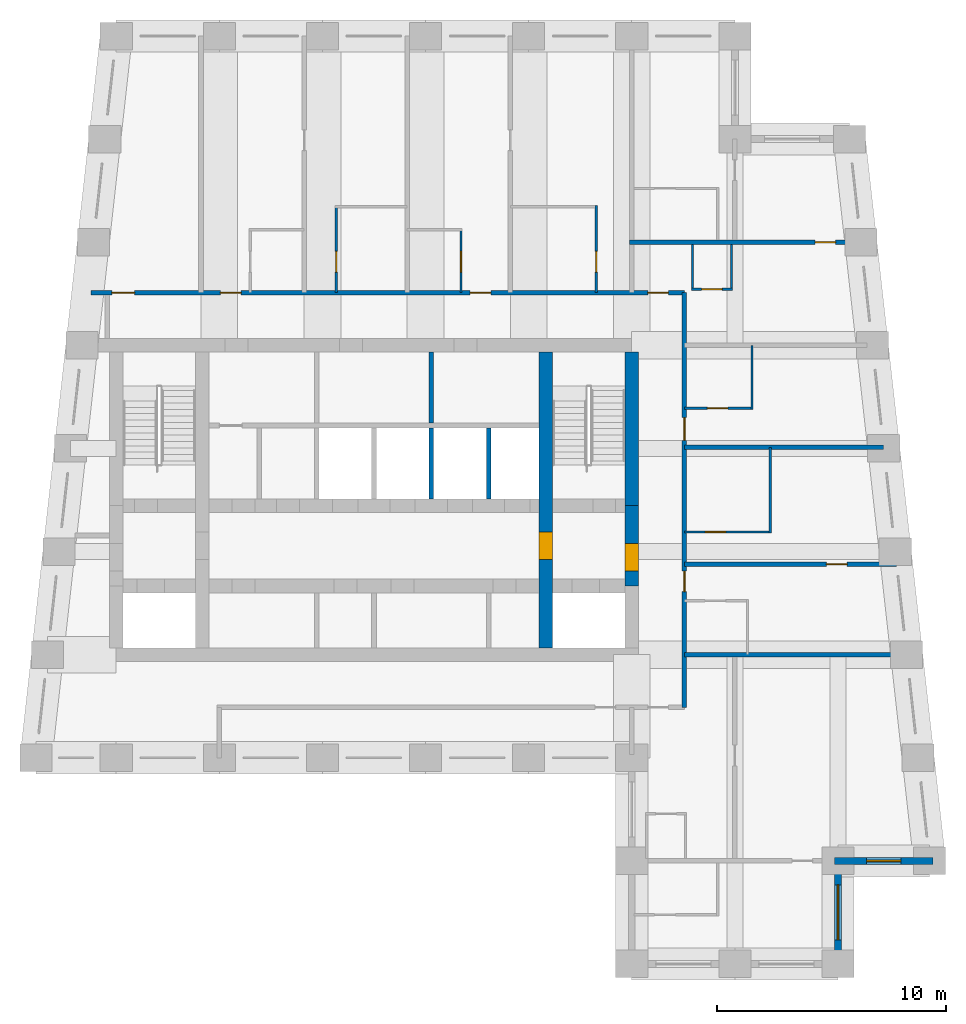
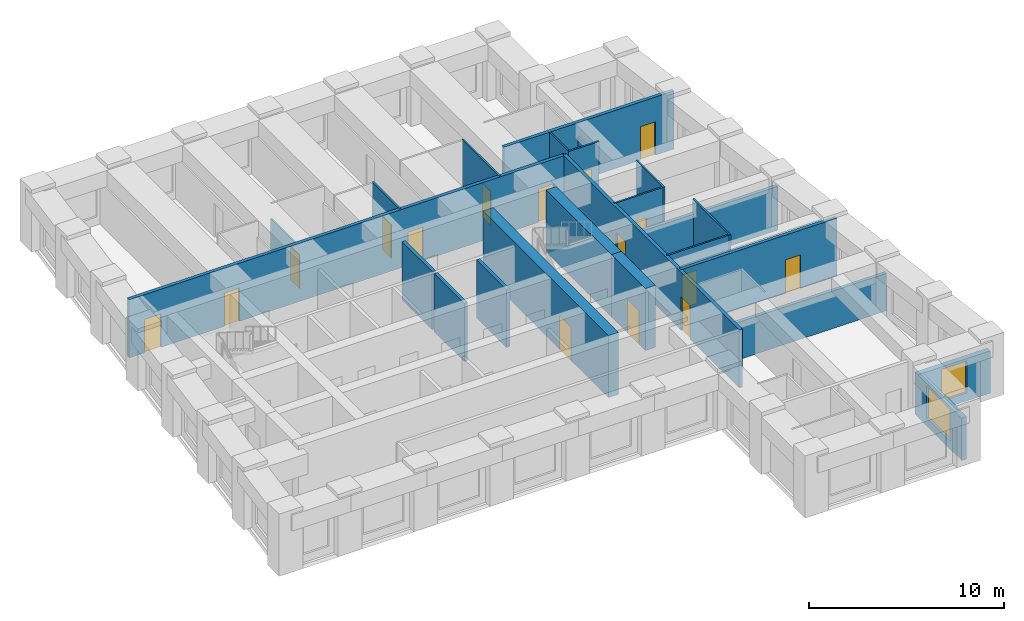
# One storey, part 4 of 7: 24 walls, 16 doors, 2 windows, 18 openings.
"""IFC4 building model written with IfcOpenShell, lengths in metres."""

from ifc_helpers import new_model, si_unit, direction, frame, frame_2d, origin, place, context, subcontext, project, spatial, rectangle, extrude, material, layer, layer_set, type_object, element, fill, save


model = new_model("IFC4")

# Units and contexts
model_context = context("Model", 3, precision=1e-05, world=origin(), true_north=direction((0.0, 1.0)))
body_context = subcontext(model_context, "Body", "Model", "MODEL_VIEW")
ifc_project = project(units=[si_unit("LENGTHUNIT", "METRE"), si_unit("AREAUNIT", "SQUARE_METRE"), si_unit("VOLUMEUNIT", "CUBIC_METRE"), si_unit("PLANEANGLEUNIT", "RADIAN"), si_unit("MASSUNIT", "GRAM", prefix="KILO")], contexts=[model_context])

# Site, building, storey
site_placement = place(None, origin())
site = spatial("IfcSite", under=ifc_project, at=site_placement, CompositionType="ELEMENT")
building_placement = place(site_placement, origin())
building = spatial("IfcBuilding", under=site, at=building_placement, Name="Kilele Tower Hotel", CompositionType="ELEMENT")
storey_placement = place(building_placement, frame((0.0, 0.0, 266.300048828125)))
storey = spatial("IfcBuildingStorey", under=building, at=storey_placement, Name="L68", CompositionType="ELEMENT", Elevation=266.300048828125)

# Wall
ifc_material_1 = material(Name="Moisture-resistant board")
ifc_layer_1 = layer(ifc_material_1, 0.10009765625)
ifc_layer_set_1 = layer_set([ifc_layer_1], Name="Moisture-resistant board")
wall_type_1 = type_object("IfcWallType", Name="Bathroom partition 100", PredefinedType="PLUMBINGWALL", material=ifc_layer_set_1)
wall_1_placement = place(storey_placement, frame((42.050048828125, 18.800048828125, 0.0), z_axis=(0.0, 0.0, 1.0), x_axis=(0.0, 1.0, 0.0)))
element("IfcWall", 1, at=wall_1_placement, inside=storey, type_object=wall_type_1, Name="Bathroom partition 100 L68", PredefinedType="PLUMBINGWALL", context=body_context, shape_type="SweptSolid", body=[
    extrude(rectangle(XDim=3.75, YDim=0.10009765625, at=frame_2d((1.875, 0.0))), origin(), (0.0, 0.0, 1.0), 3.64990234375),
])

# Wall, opening, door
wall_2_placement = place(storey_placement, frame((38.300048828125, 18.85009765625, 0.0), z_axis=(0.0, 0.0, 1.0), x_axis=(1.0, 0.0, 0.0)))
wall_2 = element("IfcWall", 2, at=wall_2_placement, inside=storey, type_object=wall_type_1, Name="Bathroom partition 100 L68", PredefinedType="PLUMBINGWALL", context=body_context, shape_type="SweptSolid", body=[
    extrude(rectangle(XDim=3.800048828125, YDim=0.10009765625, at=frame_2d((1.89990234375, 0.0))), origin(), (0.0, 0.0, 1.0), 3.64990234375),
])
opening_1_placement = place(wall_2_placement, frame((1.7998046875, 0.0, 0.0), z_axis=(0.0, 0.0, 1.0), x_axis=(-1.0, 0.0, 0.0)))
opening_1 = element("IfcOpeningElement", 3, at=opening_1_placement, cuts=wall_2, Name="Opening D2A", PredefinedType="OPENING", context=body_context, shape_type="SweptSolid", body=[
    extrude(rectangle(XDim=0.89990234375, YDim=2.10009765625, at=frame_2d((0.449951171875, 1.050048828125))), frame((0.0, 0.06005859375, 0.0), z_axis=(0.0, -1.0, 0.0), x_axis=(1.0, 0.0, 0.0)), (0.0, 0.0, 1.0), 0.1201171875),
])
ifc_material_2 = material(Name="Timber door leaf in hardwood frame", Category="wood")
door_type_1 = type_object("IfcDoorType", Name="Bathroom door 900", OperationType="SINGLE_SWING_LEFT", PredefinedType="DOOR", material=ifc_material_2)
door_1_placement = place(opening_1_placement, origin())
door_1 = element("IfcDoor", 4, at=door_1_placement, inside=storey, type_object=door_type_1, Name="Bathroom door 6804B", OperationType="SINGLE_SWING_RIGHT", OverallHeight=2.10009765625, OverallWidth=0.89990234375, PredefinedType="DOOR", context=body_context, shape_type="SweptSolid", body=[
    extrude(rectangle(XDim=0.89990234375, YDim=2.10009765625, at=frame_2d((0.449951171875, 1.050048828125))), frame((0.0, 0.02490234375, 0.0), z_axis=(0.0, -1.0, 0.0), x_axis=(1.0, 0.0, 0.0)), (0.0, 0.0, 1.0), 0.050048828125),
])
fill(opening_1, door_1)

# Wall
wall_3_placement = place(storey_placement, frame((41.25, 24.199951171875, 0.0), z_axis=(0.0, 0.0, 1.0), x_axis=(0.0, 1.0, 0.0)))
element("IfcWall", 5, at=wall_3_placement, inside=storey, type_object=wall_type_1, Name="Bathroom partition 100 L68", PredefinedType="PLUMBINGWALL", context=body_context, shape_type="SweptSolid", body=[
    extrude(rectangle(XDim=2.800048828125, YDim=0.10009765625, at=frame_2d((1.39990234375, 0.0))), origin(), (0.0, 0.0, 1.0), 3.64990234375),
])

# Wall, opening, door
wall_4_placement = place(storey_placement, frame((38.300048828125, 24.25, 0.0), z_axis=(0.0, 0.0, 1.0), x_axis=(1.0, 0.0, 0.0)))
wall_4 = element("IfcWall", 6, at=wall_4_placement, inside=storey, type_object=wall_type_1, Name="Bathroom partition 100 L68", PredefinedType="PLUMBINGWALL", context=body_context, shape_type="SweptSolid", body=[
    extrude(rectangle(XDim=3.0, YDim=0.10009765625, at=frame_2d((1.5, 0.0))), origin(), (0.0, 0.0, 1.0), 3.64990234375),
])
opening_2_placement = place(wall_4_placement, frame((1.89990234375, 0.0, 0.0), z_axis=(0.0, 0.0, 1.0), x_axis=(-1.0, 0.0, 0.0)))
opening_2 = element("IfcOpeningElement", 7, at=opening_2_placement, cuts=wall_4, Name="Opening D2A", PredefinedType="OPENING", context=body_context, shape_type="SweptSolid", body=[
    extrude(rectangle(XDim=0.89990234375, YDim=2.10009765625, at=frame_2d((0.449951171875, 1.050048828125))), frame((0.0, 0.06005859375, 0.0), z_axis=(0.0, -1.0, 0.0), x_axis=(1.0, 0.0, 0.0)), (0.0, 0.0, 1.0), 0.1201171875),
])
door_2_placement = place(opening_2_placement, origin())
door_2 = element("IfcDoor", 8, at=door_2_placement, inside=storey, type_object=door_type_1, Name="Bathroom door 6805B", OperationType="SINGLE_SWING_RIGHT", OverallHeight=2.10009765625, OverallWidth=0.89990234375, PredefinedType="DOOR", context=body_context, shape_type="SweptSolid", body=[
    extrude(rectangle(XDim=0.89990234375, YDim=2.10009765625, at=frame_2d((0.449951171875, 1.050048828125))), frame((0.0, 0.02490234375, 0.0), z_axis=(0.0, -1.0, 0.0), x_axis=(1.0, 0.0, 0.0)), (0.0, 0.0, 1.0), 0.050048828125),
])
fill(opening_2, door_2)

wall_5_placement = place(storey_placement, frame((23.10009765625, 29.300048828125, 0.0), z_axis=(0.0, 0.0, 1.0), x_axis=(0.0, 1.0, 0.0)))
wall_5 = element("IfcWall", 9, at=wall_5_placement, inside=storey, type_object=wall_type_1, Name="Bathroom partition 100 L68", PredefinedType="PLUMBINGWALL", context=body_context, shape_type="SweptSolid", body=[
    extrude(rectangle(XDim=3.800048828125, YDim=0.10009765625, at=frame_2d((1.89990234375, 0.0))), origin(), (0.0, 0.0, 1.0), 2.64990234375),
])
opening_3_placement = place(wall_5_placement, frame((0.89990234375, 0.0, 0.0)))
opening_3 = element("IfcOpeningElement", 10, at=opening_3_placement, cuts=wall_5, Name="Opening D2A", PredefinedType="OPENING", context=body_context, shape_type="SweptSolid", body=[
    extrude(rectangle(XDim=0.89990234375, YDim=2.10009765625, at=frame_2d((0.449951171875, 1.050048828125))), frame((0.0, 0.06005859375, 0.0), z_axis=(0.0, -1.0, 0.0), x_axis=(1.0, 0.0, 0.0)), (0.0, 0.0, 1.0), 0.1201171875),
])
door_3_placement = place(opening_3_placement, origin())
door_3 = element("IfcDoor", 11, at=door_3_placement, inside=storey, type_object=door_type_1, Name="Bathroom door 6808B", OperationType="SINGLE_SWING_LEFT", OverallHeight=2.10009765625, OverallWidth=0.89990234375, PredefinedType="DOOR", context=body_context, shape_type="SweptSolid", body=[
    extrude(rectangle(XDim=0.89990234375, YDim=2.10009765625, at=frame_2d((0.449951171875, 1.050048828125))), frame((0.0, 0.02490234375, 0.0), z_axis=(0.0, -1.0, 0.0), x_axis=(1.0, 0.0, 0.0)), (0.0, 0.0, 1.0), 0.050048828125),
])
fill(opening_3, door_3)

wall_6_placement = place(storey_placement, frame((28.550048828125, 29.300048828125, 0.0), z_axis=(0.0, 0.0, 1.0), x_axis=(0.0, 1.0, 0.0)))
wall_6 = element("IfcWall", 12, at=wall_6_placement, inside=storey, type_object=wall_type_1, Name="Bathroom partition 100 L68", PredefinedType="PLUMBINGWALL", context=body_context, shape_type="SweptSolid", body=[
    extrude(rectangle(XDim=2.800048828125, YDim=0.10009765625, at=frame_2d((1.39990234375, 0.0))), origin(), (0.0, 0.0, 1.0), 3.64990234375),
])
opening_4_placement = place(wall_6_placement, frame((1.7998046875, 0.0, 0.0), z_axis=(0.0, 0.0, 1.0), x_axis=(-1.0, 0.0, 0.0)))
opening_4 = element("IfcOpeningElement", 13, at=opening_4_placement, cuts=wall_6, Name="Opening D2A", PredefinedType="OPENING", context=body_context, shape_type="SweptSolid", body=[
    extrude(rectangle(XDim=0.89990234375, YDim=2.10009765625, at=frame_2d((0.449951171875, 1.050048828125))), frame((0.0, 0.06005859375, 0.0), z_axis=(0.0, -1.0, 0.0), x_axis=(1.0, 0.0, 0.0)), (0.0, 0.0, 1.0), 0.1201171875),
])
door_4_placement = place(opening_4_placement, origin())
door_4 = element("IfcDoor", 14, at=door_4_placement, inside=storey, type_object=door_type_1, Name="Bathroom door 6809B", OperationType="SINGLE_SWING_RIGHT", OverallHeight=2.10009765625, OverallWidth=0.89990234375, PredefinedType="DOOR", context=body_context, shape_type="SweptSolid", body=[
    extrude(rectangle(XDim=0.89990234375, YDim=2.10009765625, at=frame_2d((0.449951171875, 1.050048828125))), frame((0.0, 0.02490234375, 0.0), z_axis=(0.0, -1.0, 0.0), x_axis=(1.0, 0.0, 0.0)), (0.0, 0.0, 1.0), 0.050048828125),
])
fill(opening_4, door_4)

wall_7_placement = place(storey_placement, frame((34.449951171875, 29.300048828125, 0.0), z_axis=(0.0, 0.0, 1.0), x_axis=(0.0, 1.0, 0.0)))
wall_7 = element("IfcWall", 15, at=wall_7_placement, inside=storey, type_object=wall_type_1, Name="Bathroom partition 100 L68", PredefinedType="PLUMBINGWALL", context=body_context, shape_type="SweptSolid", body=[
    extrude(rectangle(XDim=3.800048828125, YDim=0.10009765625, at=frame_2d((1.89990234375, 0.0))), origin(), (0.0, 0.0, 1.0), 3.64990234375),
])
opening_5_placement = place(wall_7_placement, frame((1.7998046875, 0.0, 0.0), z_axis=(0.0, 0.0, 1.0), x_axis=(-1.0, 0.0, 0.0)))
opening_5 = element("IfcOpeningElement", 16, at=opening_5_placement, cuts=wall_7, Name="Opening D2A", PredefinedType="OPENING", context=body_context, shape_type="SweptSolid", body=[
    extrude(rectangle(XDim=0.89990234375, YDim=2.10009765625, at=frame_2d((0.449951171875, 1.050048828125))), frame((0.0, 0.06005859375, 0.0), z_axis=(0.0, -1.0, 0.0), x_axis=(1.0, 0.0, 0.0)), (0.0, 0.0, 1.0), 0.1201171875),
])
door_5_placement = place(opening_5_placement, origin())
door_5 = element("IfcDoor", 17, at=door_5_placement, inside=storey, type_object=door_type_1, Name="Bathroom door 6810B", OperationType="SINGLE_SWING_RIGHT", OverallHeight=2.10009765625, OverallWidth=0.89990234375, PredefinedType="DOOR", context=body_context, shape_type="SweptSolid", body=[
    extrude(rectangle(XDim=0.89990234375, YDim=2.10009765625, at=frame_2d((0.449951171875, 1.050048828125))), frame((0.0, 0.02490234375, 0.0), z_axis=(0.0, -1.0, 0.0), x_axis=(1.0, 0.0, 0.0)), (0.0, 0.0, 1.0), 0.050048828125),
])
fill(opening_5, door_5)

# Walls
wall_8_placement = place(storey_placement, frame((40.35009765625, 31.39990234375, 0.0), z_axis=(0.0, 0.0, 1.0), x_axis=(0.0, -1.0, 0.0)))
element("IfcWall", 18, at=wall_8_placement, inside=storey, type_object=wall_type_1, Name="Bathroom partition 100 L68", PredefinedType="PLUMBINGWALL", context=body_context, shape_type="SweptSolid", body=[
    extrude(rectangle(XDim=2.0, YDim=0.10009765625, at=frame_2d((1.0, 0.0))), origin(), (0.0, 0.0, 1.0), 2.75),
])
wall_9_placement = place(storey_placement, frame((38.64990234375, 31.39990234375, 0.0), z_axis=(0.0, 0.0, 1.0), x_axis=(0.0, -1.0, 0.0)))
element("IfcWall", 19, at=wall_9_placement, inside=storey, type_object=wall_type_1, Name="Bathroom partition 100 L68", PredefinedType="PLUMBINGWALL", context=body_context, shape_type="SweptSolid", body=[
    extrude(rectangle(XDim=2.0, YDim=0.10009765625, at=frame_2d((1.0, 0.0))), origin(), (0.0, 0.0, 1.0), 3.64990234375),
])

# Wall, opening, door
wall_10_placement = place(storey_placement, frame((38.60009765625, 29.449951171875, 0.0), z_axis=(0.0, 0.0, 1.0), x_axis=(1.0, 0.0, 0.0)))
wall_10 = element("IfcWall", 20, at=wall_10_placement, inside=storey, type_object=wall_type_1, Name="Bathroom partition 100 L68", PredefinedType="PLUMBINGWALL", context=body_context, shape_type="SweptSolid", body=[
    extrude(rectangle(XDim=1.7998046875, YDim=0.10009765625, at=frame_2d((0.89990234375, 0.0))), origin(), (0.0, 0.0, 1.0), 3.64990234375),
])
opening_6_placement = place(wall_10_placement, frame((1.349853515625, 0.0, 0.0), z_axis=(0.0, 0.0, 1.0), x_axis=(-1.0, 0.0, 0.0)))
opening_6 = element("IfcOpeningElement", 21, at=opening_6_placement, cuts=wall_10, Name="Opening D2A", PredefinedType="OPENING", context=body_context, shape_type="SweptSolid", body=[
    extrude(rectangle(XDim=0.89990234375, YDim=2.10009765625, at=frame_2d((0.449951171875, 1.050048828125))), frame((0.0, 0.06005859375, 0.0), z_axis=(0.0, -1.0, 0.0), x_axis=(1.0, 0.0, 0.0)), (0.0, 0.0, 1.0), 0.1201171875),
])
door_6_placement = place(opening_6_placement, origin())
door_6 = element("IfcDoor", 22, at=door_6_placement, inside=storey, type_object=door_type_1, Name="Bathroom door 6814P", OperationType="SINGLE_SWING_RIGHT", OverallHeight=2.10009765625, OverallWidth=0.89990234375, PredefinedType="DOOR", context=body_context, shape_type="SweptSolid", body=[
    extrude(rectangle(XDim=0.89990234375, YDim=2.10009765625, at=frame_2d((0.449951171875, 1.050048828125))), frame((0.0, 0.02490234375, 0.0), z_axis=(0.0, -1.0, 0.0), x_axis=(1.0, 0.0, 0.0)), (0.0, 0.0, 1.0), 0.050048828125),
])
fill(opening_6, door_6)

ifc_material_3 = material(Name="Concrete C60/75", Category="concrete")
ifc_layer_2 = layer(ifc_material_3, 0.60009765625)
ifc_layer_set_2 = layer_set([ifc_layer_2], Name="Concrete C60/75")
wall_type_2 = type_object("IfcWallType", Name="Core wall 600 C60/75", PredefinedType="SHEAR", material=ifc_layer_set_2)
wall_11_placement = place(storey_placement, frame((32.25, 13.800048828125, 0.0), z_axis=(0.0, 0.0, 1.0), x_axis=(0.0, 1.0, 0.0)))
wall_11 = element("IfcWall", 23, at=wall_11_placement, inside=storey, type_object=wall_type_2, Name="Core wall IE L68", PredefinedType="SHEAR", context=body_context, shape_type="SweptSolid", body=[
    extrude(rectangle(XDim=12.89990234375, YDim=0.60009765625, at=frame_2d((6.449951171875, 0.0))), origin(), (0.0, 0.0, 1.0), 3.89990234375),
])
opening_7_placement = place(wall_11_placement, frame((5.050048828125, 0.0, 0.0), z_axis=(0.0, 0.0, 1.0), x_axis=(-1.0, 0.0, 0.0)))
opening_7 = element("IfcOpeningElement", 24, at=opening_7_placement, cuts=wall_11, Name="Opening D4", PredefinedType="OPENING", context=body_context, shape_type="SweptSolid", body=[
    extrude(rectangle(XDim=1.199951171875, YDim=2.10009765625, at=frame_2d((0.60009765625, 1.050048828125))), frame((0.0, 0.31005859375, 0.0), z_axis=(0.0, -1.0, 0.0), x_axis=(1.0, 0.0, 0.0)), (0.0, 0.0, 1.0), 0.6201171875),
])
ifc_material_4 = material(Name="Timber door leaf in hardwood frame", Category="wood")
door_type_2 = type_object("IfcDoorType", Name="Firefighting lobby door 1200", OperationType="SINGLE_SWING_LEFT", PredefinedType="DOOR", material=ifc_material_4)
door_7_placement = place(opening_7_placement, origin())
door_7 = element("IfcDoor", 25, at=door_7_placement, inside=storey, type_object=door_type_2, Name="Lobby door L68", OperationType="SINGLE_SWING_RIGHT", OverallHeight=2.10009765625, OverallWidth=1.199951171875, PredefinedType="DOOR", context=body_context, shape_type="SweptSolid", body=[
    extrude(rectangle(XDim=1.199951171875, YDim=2.10009765625, at=frame_2d((0.60009765625, 1.050048828125))), frame((0.0, 0.2998046875, 0.0), z_axis=(0.0, -1.0, 0.0), x_axis=(1.0, 0.0, 0.0)), (0.0, 0.0, 1.0), 0.599609375),
])
fill(opening_7, door_7)

wall_12_placement = place(storey_placement, frame((36.0, 16.5, 0.0), z_axis=(0.0, 0.0, 1.0), x_axis=(0.0, 1.0, 0.0)))
wall_12 = element("IfcWall", 26, at=wall_12_placement, inside=storey, type_object=wall_type_2, Name="Core wall E2 L68", PredefinedType="SHEAR", context=body_context, shape_type="SweptSolid", body=[
    extrude(rectangle(XDim=3.5, YDim=0.60009765625, at=frame_2d((1.75, 0.0))), origin(), (0.0, 0.0, 1.0), 3.89990234375),
])
opening_8_placement = place(wall_12_placement, frame((0.64990234375, 0.0, 0.0)))
opening_8 = element("IfcOpeningElement", 27, at=opening_8_placement, cuts=wall_12, Name="Opening D4", PredefinedType="OPENING", context=body_context, shape_type="SweptSolid", body=[
    extrude(rectangle(XDim=1.199951171875, YDim=2.10009765625, at=frame_2d((0.60009765625, 1.050048828125))), frame((0.0, 0.31005859375, 0.0), z_axis=(0.0, -1.0, 0.0), x_axis=(1.0, 0.0, 0.0)), (0.0, 0.0, 1.0), 0.6201171875),
])
door_8_placement = place(opening_8_placement, origin())
door_8 = element("IfcDoor", 28, at=door_8_placement, inside=storey, type_object=door_type_2, Name="Lobby door L68", OperationType="SINGLE_SWING_LEFT", OverallHeight=2.10009765625, OverallWidth=1.199951171875, PredefinedType="DOOR", context=body_context, shape_type="SweptSolid", body=[
    extrude(rectangle(XDim=1.199951171875, YDim=2.10009765625, at=frame_2d((0.60009765625, 1.050048828125))), frame((0.0, 0.2998046875, 0.0), z_axis=(0.0, -1.0, 0.0), x_axis=(1.0, 0.0, 0.0)), (0.0, 0.0, 1.0), 0.599609375),
])
fill(opening_8, door_8)

# Wall
wall_13_placement = place(storey_placement, frame((36.0, 20.0, 0.0), z_axis=(0.0, 0.0, 1.0), x_axis=(0.0, 1.0, 0.0)))
element("IfcWall", 29, at=wall_13_placement, inside=storey, type_object=wall_type_2, Name="Core wall E3 L68", PredefinedType="SHEAR", context=body_context, shape_type="SweptSolid", body=[
    extrude(rectangle(XDim=6.699951171875, YDim=0.60009765625, at=frame_2d((3.35009765625, 0.0))), origin(), (0.0, 0.0, 1.0), 3.89990234375),
])

# Wall, openings, doors
ifc_material_5 = material(Name="Blockwork, plastered both sides", Category="masonry")
ifc_layer_3 = layer(ifc_material_5, 0.199951171875)
ifc_layer_set_3 = layer_set([ifc_layer_3], Name="Blockwork, plastered both sides")
wall_type_3 = type_object("IfcWallType", Name="Corridor wall 200", PredefinedType="PARTITIONING", material=ifc_layer_set_3)
wall_14_placement = place(storey_placement, frame((12.406494140625, 29.300048828125, 0.0), z_axis=(0.0, 0.0, 1.0), x_axis=(1.0, 0.0, 0.0)))
wall_14 = element("IfcWall", 30, at=wall_14_placement, inside=storey, type_object=wall_type_3, Name="Corridor wall 200 L68", PredefinedType="PARTITIONING", context=body_context, shape_type="SweptSolid", body=[
    extrude(rectangle(XDim=25.8935546875, YDim=0.199951171875, at=frame_2d((12.94677734375, 0.0))), origin(), (0.0, 0.0, 1.0), 3.64990234375),
])
opening_9_placement = place(wall_14_placement, frame((0.89990234375, 0.0, 0.0)))
opening_9 = element("IfcOpeningElement", 31, at=opening_9_placement, cuts=wall_14, Name="Opening D8", PredefinedType="OPENING", context=body_context, shape_type="SweptSolid", body=[
    extrude(rectangle(XDim=1.0, YDim=2.10009765625, at=frame_2d((0.5, 1.050048828125))), frame((0.0, 0.10986328125, 0.0), z_axis=(0.0, -1.0, 0.0), x_axis=(1.0, 0.0, 0.0)), (0.0, 0.0, 1.0), 0.219970703125),
])
opening_10_placement = place(wall_14_placement, frame((5.6435546875, 0.0, 0.0)))
opening_10 = element("IfcOpeningElement", 32, at=opening_10_placement, cuts=wall_14, Name="Opening D1", PredefinedType="OPENING", context=body_context, shape_type="SweptSolid", body=[
    extrude(rectangle(XDim=0.89990234375, YDim=2.10009765625, at=frame_2d((0.449951171875, 1.050048828125))), frame((0.0, 0.10986328125, 0.0), z_axis=(0.0, -1.0, 0.0), x_axis=(1.0, 0.0, 0.0)), (0.0, 0.0, 1.0), 0.219970703125),
])
opening_11_placement = place(wall_14_placement, frame((16.54345703125, 0.0, 0.0)))
opening_11 = element("IfcOpeningElement", 33, at=opening_11_placement, cuts=wall_14, Name="Opening D1", PredefinedType="OPENING", context=body_context, shape_type="SweptSolid", body=[
    extrude(rectangle(XDim=0.89990234375, YDim=2.10009765625, at=frame_2d((0.449951171875, 1.050048828125))), frame((0.0, 0.10986328125, 0.0), z_axis=(0.0, -1.0, 0.0), x_axis=(1.0, 0.0, 0.0)), (0.0, 0.0, 1.0), 0.219970703125),
])
opening_12_placement = place(wall_14_placement, frame((24.29345703125, 0.0, 0.0)))
opening_12 = element("IfcOpeningElement", 34, at=opening_12_placement, cuts=wall_14, Name="Opening D1", PredefinedType="OPENING", context=body_context, shape_type="SweptSolid", body=[
    extrude(rectangle(XDim=0.89990234375, YDim=2.10009765625, at=frame_2d((0.449951171875, 1.050048828125))), frame((0.0, 0.10986328125, 0.0), z_axis=(0.0, -1.0, 0.0), x_axis=(1.0, 0.0, 0.0)), (0.0, 0.0, 1.0), 0.219970703125),
])
ifc_material_6 = material(Name="Timber door leaf in hardwood frame", Category="wood")
door_type_3 = type_object("IfcDoorType", Name="Door 1000", OperationType="SINGLE_SWING_LEFT", PredefinedType="DOOR", material=ifc_material_6)
door_9_placement = place(opening_9_placement, origin())
door_9 = element("IfcDoor", 35, at=door_9_placement, inside=storey, type_object=door_type_3, Name="Room entrance 6806", OperationType="SINGLE_SWING_LEFT", OverallHeight=2.10009765625, OverallWidth=1.0, PredefinedType="DOOR", context=body_context, shape_type="SweptSolid", body=[
    extrude(rectangle(XDim=1.0, YDim=2.10009765625, at=frame_2d((0.5, 1.050048828125))), frame((0.0, 0.02490234375, 0.0), z_axis=(0.0, -1.0, 0.0), x_axis=(1.0, 0.0, 0.0)), (0.0, 0.0, 1.0), 0.050048828125),
])
fill(opening_9, door_9)
ifc_material_7 = material(Name="Timber door leaf in hardwood frame", Category="wood")
door_type_4 = type_object("IfcDoorType", Name="Guest room entrance door 900", OperationType="SINGLE_SWING_LEFT", PredefinedType="DOOR", material=ifc_material_7)
door_10_placement = place(opening_10_placement, origin())
door_10 = element("IfcDoor", 36, at=door_10_placement, inside=storey, type_object=door_type_4, Name="Room entrance 6807", OperationType="SINGLE_SWING_RIGHT", OverallHeight=2.10009765625, OverallWidth=0.89990234375, PredefinedType="DOOR", context=body_context, shape_type="SweptSolid", body=[
    extrude(rectangle(XDim=0.89990234375, YDim=2.10009765625, at=frame_2d((0.449951171875, 1.050048828125))), frame((0.0, 0.02490234375, 0.0), z_axis=(0.0, -1.0, 0.0), x_axis=(1.0, 0.0, 0.0)), (0.0, 0.0, 1.0), 0.050048828125),
])
fill(opening_10, door_10)
door_11_placement = place(opening_11_placement, origin())
door_11 = element("IfcDoor", 37, at=door_11_placement, inside=storey, type_object=door_type_4, Name="Room entrance 6809", OperationType="SINGLE_SWING_LEFT", OverallHeight=2.10009765625, OverallWidth=0.89990234375, PredefinedType="DOOR", context=body_context, shape_type="SweptSolid", body=[
    extrude(rectangle(XDim=0.89990234375, YDim=2.10009765625, at=frame_2d((0.449951171875, 1.050048828125))), frame((0.0, 0.02490234375, 0.0), z_axis=(0.0, -1.0, 0.0), x_axis=(1.0, 0.0, 0.0)), (0.0, 0.0, 1.0), 0.050048828125),
])
fill(opening_11, door_11)
door_12_placement = place(opening_12_placement, origin())
door_12 = element("IfcDoor", 38, at=door_12_placement, inside=storey, type_object=door_type_4, Name="Room entrance 6814", OperationType="SINGLE_SWING_LEFT", OverallHeight=2.10009765625, OverallWidth=0.89990234375, PredefinedType="DOOR", context=body_context, shape_type="SweptSolid", body=[
    extrude(rectangle(XDim=0.89990234375, YDim=2.10009765625, at=frame_2d((0.449951171875, 1.050048828125))), frame((0.0, 0.02490234375, 0.0), z_axis=(0.0, -1.0, 0.0), x_axis=(1.0, 0.0, 0.0)), (0.0, 0.0, 1.0), 0.050048828125),
])
fill(opening_12, door_12)

wall_15_placement = place(storey_placement, frame((38.300048828125, 11.199951171875, 0.0), z_axis=(0.0, 0.0, 1.0), x_axis=(0.0, 1.0, 0.0)))
wall_15 = element("IfcWall", 39, at=wall_15_placement, inside=storey, type_object=wall_type_3, Name="Corridor wall 200 L68", PredefinedType="PARTITIONING", context=body_context, shape_type="SweptSolid", body=[
    extrude(rectangle(XDim=18.10009765625, YDim=0.199951171875, at=frame_2d((9.050048828125, 0.0))), origin(), (0.0, 0.0, 1.0), 3.64990234375),
])
opening_13_placement = place(wall_15_placement, frame((5.949951171875, 0.0, 0.0), z_axis=(0.0, 0.0, 1.0), x_axis=(-1.0, 0.0, 0.0)))
opening_13 = element("IfcOpeningElement", 40, at=opening_13_placement, cuts=wall_15, Name="Opening D1", PredefinedType="OPENING", context=body_context, shape_type="SweptSolid", body=[
    extrude(rectangle(XDim=0.89990234375, YDim=2.10009765625, at=frame_2d((0.449951171875, 1.050048828125))), frame((0.0, 0.10986328125, 0.0), z_axis=(0.0, -1.0, 0.0), x_axis=(1.0, 0.0, 0.0)), (0.0, 0.0, 1.0), 0.219970703125),
])
opening_14_placement = place(wall_15_placement, frame((12.64990234375, 0.0, 0.0), z_axis=(0.0, 0.0, 1.0), x_axis=(-1.0, 0.0, 0.0)))
opening_14 = element("IfcOpeningElement", 41, at=opening_14_placement, cuts=wall_15, Name="Opening D1A", PredefinedType="OPENING", context=body_context, shape_type="SweptSolid", body=[
    extrude(rectangle(XDim=1.0, YDim=2.10009765625, at=frame_2d((0.5, 1.050048828125))), frame((0.0, 0.10986328125, 0.0), z_axis=(0.0, -1.0, 0.0), x_axis=(1.0, 0.0, 0.0)), (0.0, 0.0, 1.0), 0.219970703125),
])
ifc_material_8 = material(Name="Timber door leaf in hardwood frame", Category="wood")
door_type_5 = type_object("IfcDoorType", Name="Guest room entrance door 1000", OperationType="SINGLE_SWING_LEFT", PredefinedType="DOOR", material=ifc_material_8)
door_13_placement = place(opening_14_placement, origin())
door_13 = element("IfcDoor", 42, at=door_13_placement, inside=storey, type_object=door_type_5, Name="Room entrance 6805", OperationType="SINGLE_SWING_RIGHT", OverallHeight=2.10009765625, OverallWidth=1.0, PredefinedType="DOOR", context=body_context, shape_type="SweptSolid", body=[
    extrude(rectangle(XDim=1.0, YDim=2.10009765625, at=frame_2d((0.5, 1.050048828125))), frame((0.0, 0.02490234375, 0.0), z_axis=(0.0, -1.0, 0.0), x_axis=(1.0, 0.0, 0.0)), (0.0, 0.0, 1.0), 0.050048828125),
])
fill(opening_14, door_13)
door_14_placement = place(opening_13_placement, origin())
door_14 = element("IfcDoor", 43, at=door_14_placement, inside=storey, type_object=door_type_4, Name="Room entrance 6803", OperationType="SINGLE_SWING_LEFT", OverallHeight=2.10009765625, OverallWidth=0.89990234375, PredefinedType="DOOR", context=body_context, shape_type="SweptSolid", body=[
    extrude(rectangle(XDim=0.89990234375, YDim=2.10009765625, at=frame_2d((0.449951171875, 1.050048828125))), frame((0.0, 0.02490234375, 0.0), z_axis=(0.0, -1.0, 0.0), x_axis=(1.0, 0.0, 0.0)), (0.0, 0.0, 1.0), 0.050048828125),
])
fill(opening_13, door_14)

# Wall, opening, door
ifc_material_9 = material(Name="Blockwork, plastered both sides", Category="masonry")
ifc_layer_4 = layer(ifc_material_9, 0.199951171875)
ifc_layer_set_4 = layer_set([ifc_layer_4], Name="Blockwork, plastered both sides")
wall_type_4 = type_object("IfcWallType", Name="Party wall 200", PredefinedType="PARTITIONING", material=ifc_layer_set_4)
wall_16_placement = place(storey_placement, frame((38.300048828125, 17.449951171875, 0.0), z_axis=(0.0, 0.0, 1.0), x_axis=(1.0, 0.0, 0.0)))
wall_16 = element("IfcWall", 44, at=wall_16_placement, inside=storey, type_object=wall_type_4, Name="Party wall 200 L68", PredefinedType="PARTITIONING", context=body_context, shape_type="SweptSolid", body=[
    extrude(rectangle(XDim=9.26025390625, YDim=0.199951171875, at=frame_2d((4.630126953125, 0.0))), origin(), (0.0, 0.0, 1.0), 3.64990234375),
])
opening_15_placement = place(wall_16_placement, frame((6.199951171875, 0.0, 0.0)))
opening_15 = element("IfcOpeningElement", 45, at=opening_15_placement, cuts=wall_16, Name="Opening D3", PredefinedType="OPENING", context=body_context, shape_type="SweptSolid", body=[
    extrude(rectangle(XDim=0.89990234375, YDim=2.10009765625, at=frame_2d((0.449951171875, 1.050048828125))), frame((0.0, 0.10986328125, 0.0), z_axis=(0.0, -1.0, 0.0), x_axis=(1.0, 0.0, 0.0)), (0.0, 0.0, 1.0), 0.219970703125),
])
ifc_material_10 = material(Name="Timber door leaf in hardwood frame", Category="wood")
door_type_6 = type_object("IfcDoorType", Name="Suite internal door 900", OperationType="SINGLE_SWING_LEFT", PredefinedType="DOOR", material=ifc_material_10)
door_15_placement = place(opening_15_placement, origin())
door_15 = element("IfcDoor", 46, at=door_15_placement, inside=storey, type_object=door_type_6, Name="Suite door 6804", OperationType="SINGLE_SWING_RIGHT", OverallHeight=2.10009765625, OverallWidth=0.89990234375, PredefinedType="DOOR", context=body_context, shape_type="SweptSolid", body=[
    extrude(rectangle(XDim=0.89990234375, YDim=2.10009765625, at=frame_2d((0.449951171875, 1.050048828125))), frame((0.0, 0.02490234375, 0.0), z_axis=(0.0, -1.0, 0.0), x_axis=(1.0, 0.0, 0.0)), (0.0, 0.0, 1.0), 0.050048828125),
])
fill(opening_15, door_15)

# Walls
wall_17_placement = place(storey_placement, frame((38.300048828125, 22.550048828125, 0.0), z_axis=(0.0, 0.0, 1.0), x_axis=(1.0, 0.0, 0.0)))
element("IfcWall", 47, at=wall_17_placement, inside=storey, type_object=wall_type_4, Name="Party wall 200 L68", PredefinedType="PARTITIONING", context=body_context, shape_type="SweptSolid", body=[
    extrude(rectangle(XDim=8.693359375, YDim=0.199951171875, at=frame_2d((4.3466796875, 0.0))), origin(), (0.0, 0.0, 1.0), 2.75),
])
wall_18_placement = place(storey_placement, frame((38.300048828125, 13.5, 0.0), z_axis=(0.0, 0.0, 1.0), x_axis=(1.0, 0.0, 0.0)))
element("IfcWall", 48, at=wall_18_placement, inside=storey, type_object=wall_type_4, Name="Party wall 200 L68", PredefinedType="PARTITIONING", context=body_context, shape_type="SweptSolid", body=[
    extrude(rectangle(XDim=9.921142578125, YDim=0.199951171875, at=frame_2d((4.96044921875, 0.0))), origin(), (0.0, 0.0, 1.0), 2.349853515625),
])

# Wall, opening, door
wall_19_placement = place(storey_placement, frame((35.89990234375, 31.5, 0.0), z_axis=(0.0, 0.0, 1.0), x_axis=(1.0, 0.0, 0.0)))
wall_19 = element("IfcWall", 49, at=wall_19_placement, inside=storey, type_object=wall_type_4, Name="Party wall 200 L68", PredefinedType="PARTITIONING", context=body_context, shape_type="SweptSolid", body=[
    extrude(rectangle(XDim=10.09912109375, YDim=0.199951171875, at=frame_2d((5.049560546875, 0.0))), origin(), (0.0, 0.0, 1.0), 3.64990234375),
])
opening_16_placement = place(wall_19_placement, frame((8.09912109375, 0.0, 0.0)))
opening_16 = element("IfcOpeningElement", 50, at=opening_16_placement, cuts=wall_19, Name="Opening D3", PredefinedType="OPENING", context=body_context, shape_type="SweptSolid", body=[
    extrude(rectangle(XDim=0.89990234375, YDim=2.10009765625, at=frame_2d((0.449951171875, 1.050048828125))), frame((0.0, 0.10986328125, 0.0), z_axis=(0.0, -1.0, 0.0), x_axis=(1.0, 0.0, 0.0)), (0.0, 0.0, 1.0), 0.219970703125),
])
door_16_placement = place(opening_16_placement, origin())
door_16 = element("IfcDoor", 51, at=door_16_placement, inside=storey, type_object=door_type_6, Name="Suite door 6815", OperationType="SINGLE_SWING_RIGHT", OverallHeight=2.10009765625, OverallWidth=0.89990234375, PredefinedType="DOOR", context=body_context, shape_type="SweptSolid", body=[
    extrude(rectangle(XDim=0.89990234375, YDim=2.10009765625, at=frame_2d((0.449951171875, 1.050048828125))), frame((0.0, 0.02490234375, 0.0), z_axis=(0.0, -1.0, 0.0), x_axis=(1.0, 0.0, 0.0)), (0.0, 0.0, 1.0), 0.050048828125),
])
fill(opening_16, door_16)

# Wall, opening, window
ifc_material_11 = material(Name="Concrete C40/50 precast", Category="concrete")
ifc_layer_5 = layer(ifc_material_11, 0.260009765625, Name="Precast backing", Category="LoadBearing")
ifc_material_12 = material(Name="Reconstituted stone finish", Category="masonry")
ifc_layer_6 = layer(ifc_material_12, 0.0400390625, Name="Face mix", Category="Finish")
ifc_layer_set_5 = layer_set([ifc_layer_5, ifc_layer_6], Name="Precast concrete C40/50, reconstituted stone finish")
wall_type_5 = type_object("IfcWallType", Name="Precast stone facade wall 300", PredefinedType="STANDARD", material=ifc_layer_set_5)
wall_20_placement = place(storey_placement, frame((45.0, -0.14990234375, 0.0), z_axis=(0.0, 0.0, 1.0), x_axis=(0.0, 1.0, 0.0)))
wall_20 = element("IfcWall", 52, at=wall_20_placement, inside=storey, type_object=wall_type_5, Name="Facade wall L68 edge 4", PredefinedType="STANDARD", context=body_context, shape_type="SweptSolid", body=[
    extrude(rectangle(XDim=4.7998046875, YDim=0.300048828125, at=frame_2d((2.39990234375, 0.0))), origin(), (0.0, 0.0, 1.0), 2.64990234375),
])
opening_17_placement = place(wall_20_placement, frame((1.199951171875, 0.0, 0.5)))
opening_17 = element("IfcOpeningElement", 53, at=opening_17_placement, cuts=wall_20, Name="Opening W4", PredefinedType="OPENING", context=body_context, shape_type="SweptSolid", body=[
    extrude(rectangle(XDim=2.39990234375, YDim=2.0, at=frame_2d((1.199951171875, 1.0))), frame((0.0, 0.159912109375, 0.0), z_axis=(0.0, -1.0, 0.0), x_axis=(1.0, 0.0, 0.0)), (0.0, 0.0, 1.0), 0.320068359375),
])
ifc_material_13 = material(Name="Aluminium frame, clear double glazing", Category="aluminium")
window_type_1 = type_object("IfcWindowType", Name="Window W4 2400 x 2000", PartitioningType="SINGLE_PANEL", PredefinedType="WINDOW", material=ifc_material_13)
window_1_placement = place(opening_17_placement, origin())
window_1 = element("IfcWindow", 54, at=window_1_placement, inside=storey, type_object=window_type_1, Name="Window L68", OverallHeight=2.0, OverallWidth=2.39990234375, PartitioningType="SINGLE_PANEL", PredefinedType="WINDOW", context=body_context, shape_type="SweptSolid", body=[
    extrude(rectangle(XDim=2.39990234375, YDim=2.0, at=frame_2d((1.199951171875, 1.0))), frame((0.0, 0.030029296875, 0.0), z_axis=(0.0, -1.0, 0.0), x_axis=(1.0, 0.0, 0.0)), (0.0, 0.0, 1.0), 0.06005859375),
])
fill(opening_17, window_1)

wall_21_placement = place(storey_placement, frame((44.85009765625, 4.5, 0.0), z_axis=(0.0, 0.0, 1.0), x_axis=(1.0, 0.0, 0.0)))
wall_21 = element("IfcWall", 55, at=wall_21_placement, inside=storey, type_object=wall_type_5, Name="Facade wall L68 edge 5", PredefinedType="STANDARD", context=body_context, shape_type="SweptSolid", body=[
    extrude(rectangle(XDim=4.2998046875, YDim=0.300048828125, at=frame_2d((2.14990234375, 0.0))), origin(), (0.0, 0.0, 1.0), 2.64990234375),
])
opening_18_placement = place(wall_21_placement, frame((1.39990234375, 0.0, 0.5)))
opening_18 = element("IfcOpeningElement", 56, at=opening_18_placement, cuts=wall_21, Name="Opening W4", PredefinedType="OPENING", context=body_context, shape_type="SweptSolid", body=[
    extrude(rectangle(XDim=1.5, YDim=2.0, at=frame_2d((0.75, 1.0))), frame((0.0, 0.159912109375, 0.0), z_axis=(0.0, -1.0, 0.0), x_axis=(1.0, 0.0, 0.0)), (0.0, 0.0, 1.0), 0.320068359375),
])
ifc_material_14 = material(Name="Aluminium frame, clear double glazing", Category="aluminium")
window_type_2 = type_object("IfcWindowType", Name="Window W4 1500 x 2000", PartitioningType="SINGLE_PANEL", PredefinedType="WINDOW", material=ifc_material_14)
window_2_placement = place(opening_18_placement, origin())
window_2 = element("IfcWindow", 57, at=window_2_placement, inside=storey, type_object=window_type_2, Name="Window L68", OverallHeight=2.0, OverallWidth=1.5, PartitioningType="SINGLE_PANEL", PredefinedType="WINDOW", context=body_context, shape_type="SweptSolid", body=[
    extrude(rectangle(XDim=1.5, YDim=2.0, at=frame_2d((0.75, 1.0))), frame((0.0, 0.030029296875, 0.0), z_axis=(0.0, -1.0, 0.0), x_axis=(1.0, 0.0, 0.0)), (0.0, 0.0, 1.0), 0.06005859375),
])
fill(opening_18, window_2)

# Walls
ifc_material_15 = material(Name="Blockwork, fire-rated", Category="masonry")
ifc_layer_7 = layer(ifc_material_15, 0.199951171875)
ifc_layer_set_6 = layer_set([ifc_layer_7], Name="Blockwork, fire-rated")
wall_type_6 = type_object("IfcWallType", Name="Shaft wall 200", PredefinedType="PARTITIONING", material=ifc_layer_set_6)
for number, where, z_axis, x_axis, name in (
    (58, (27.25, 20.300048828125, 0.0), (0.0, 0.0, 1.0), (0.0, 1.0, 0.0), "Shaft wall 200 L68"),
    (59, (29.75, 20.300048828125, 0.0), (0.0, 0.0, 1.0), (0.0, 1.0, 0.0), "Shaft wall 200 L68"),
    (60, (27.25, 23.60009765625, 0.0), (0.0, 0.0, 1.0), (0.0, 1.0, 0.0), "Shaft wall 200 L68"),
):
    element("IfcWall", number, at=place(storey_placement, frame(where, z_axis=z_axis, x_axis=x_axis)), inside=storey, type_object=wall_type_6, Name=name, PredefinedType="PARTITIONING", context=body_context, shape_type="SweptSolid", body=[
        extrude(rectangle(XDim=3.099853515625, YDim=0.199951171875, at=frame_2d((1.5498046875, 0.0))), origin(), (0.0, 0.0, 1.0), 3.64990234375),
    ])

save(model, "model.ifc")
